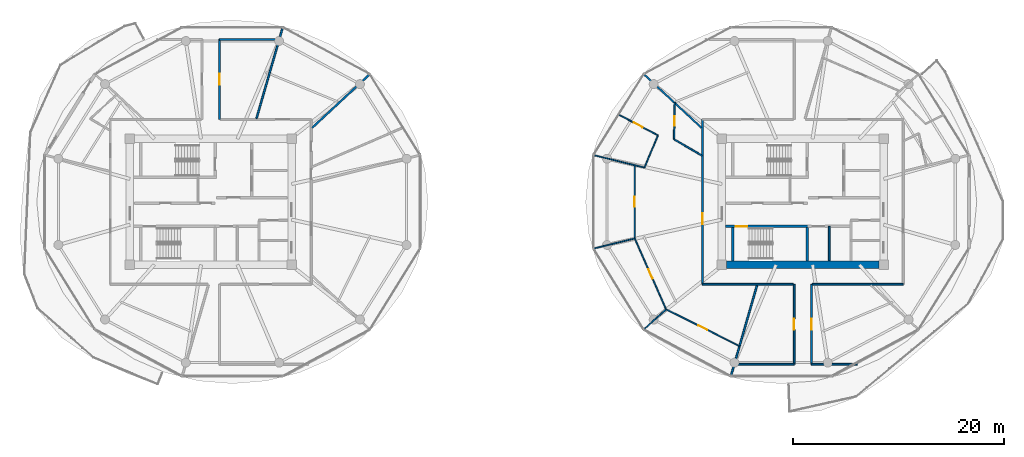
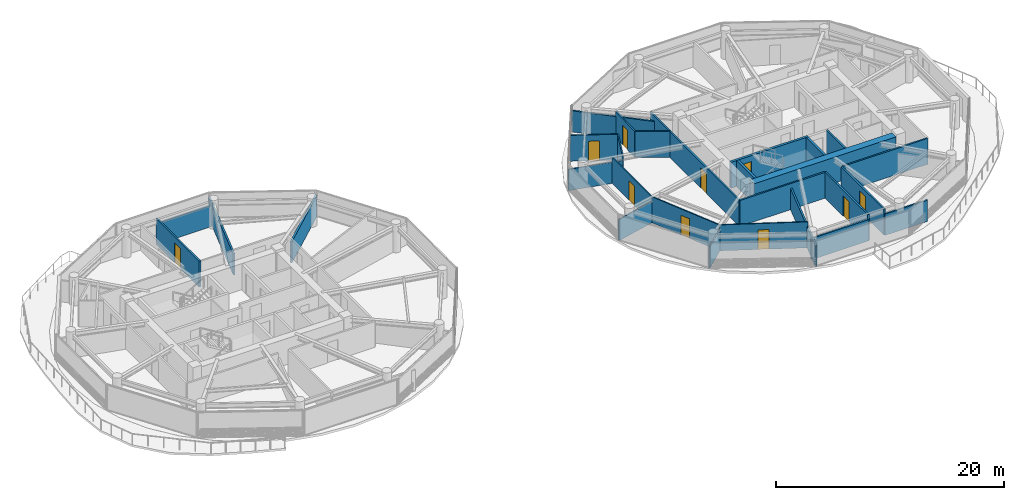
# One storey, part 15 of 22: 28 walls, 10 doors, 10 openings.
"""IFC4 building model written with IfcOpenShell, lengths in metres."""

from ifc_helpers import new_model, si_unit, direction, frame, frame_2d, origin, place, context, subcontext, project, spatial, rectangle, extrude, source, transform, mapped, material, layer, layer_set, type_object, type_shapes, element, fill, save


model = new_model("IFC4")

# Units and contexts
model_context = context("Model", 3, precision=1e-05, world=origin(), true_north=direction((0.0, 1.0)))
body_context = subcontext(model_context, "Body", "Model", "MODEL_VIEW")
ifc_project = project(units=[si_unit("LENGTHUNIT", "METRE"), si_unit("AREAUNIT", "SQUARE_METRE"), si_unit("VOLUMEUNIT", "CUBIC_METRE"), si_unit("PLANEANGLEUNIT", "RADIAN"), si_unit("MASSUNIT", "GRAM", prefix="KILO")], contexts=[model_context])

# Site, building, storey
site_placement = place(None, origin())
site = spatial("IfcSite", under=ifc_project, at=site_placement, CompositionType="ELEMENT")
building_placement = place(site_placement, origin())
building = spatial("IfcBuilding", under=site, at=building_placement, Name="Norrkilde Senior Care Towers", CompositionType="ELEMENT")
storey_placement = place(building_placement, frame((0.0, 0.0, 96.25)))
storey = spatial("IfcBuildingStorey", under=building, at=storey_placement, Name="L29", CompositionType="ELEMENT", Elevation=96.25)

# Walls
ifc_material_1 = material(Name="Concrete C60/75", Category="concrete")
ifc_layer_1 = layer(ifc_material_1, 0.719970703125)
ifc_layer_set_1 = layer_set([ifc_layer_1], Name="Concrete C60/75")
wall_type_1 = type_object("IfcWallType", Name="Core Shear Wall Z2 720", PredefinedType="SHEAR", material=ifc_layer_set_1)
shared_shape_1 = source(origin(), body_context, "Body", "SweptSolid", [
    extrude(rectangle(XDim=14.39990234375, YDim=0.719970703125, at=frame_2d((7.199951171875, 0.0))), origin(), (0.0, 0.0, 1.0), 2.7900390625),
])
type_shapes(wall_type_1, [shared_shape_1])
wall_1_placement = place(storey_placement, frame((35.199951171875, -5.949951171875, 0.0), z_axis=(0.0, 0.0, 1.0), x_axis=(-1.0, 0.0, 0.0)))
element("IfcWall", 1, at=wall_1_placement, inside=storey, type_object=wall_type_1, Name="L29 Core E South Shear Wall", PredefinedType="SHEAR", context=body_context, shape_type="MappedRepresentation", body=[
    mapped(shared_shape_1, transform((0.0, 0.0, 0.0), x_axis=(1.0, 0.0, 0.0), y_axis=(0.0, 1.0, 0.0), z_axis=(0.0, 0.0, 1.0), scale=1.0)),
])
ifc_material_2 = material(Name="Concrete C45/55", Category="concrete")
ifc_layer_2 = layer(ifc_material_2, 0.179931640625)
ifc_layer_set_2 = layer_set([ifc_layer_2], Name="Concrete C45/55")
wall_type_2 = type_object("IfcWallType", Name="Hoistway Division Rated Partition 180", PredefinedType="PARTITIONING", material=ifc_layer_set_2)
shared_shape_2 = source(origin(), body_context, "Body", "SweptSolid", [
    extrude(rectangle(XDim=3.219970703125, YDim=0.179931640625, at=frame_2d((1.60986328125, 0.0))), origin(), (0.0, 0.0, 1.0), 2.77490234375),
])
type_shapes(wall_type_2, [shared_shape_2])
wall_2_placement = place(storey_placement, frame((30.5, -5.550048828125, 0.0), z_axis=(0.0, 0.0, 1.0), x_axis=(0.0, 1.0, 0.0)))
element("IfcWall", 2, at=wall_2_placement, inside=storey, type_object=wall_type_2, Name="WL-INT-L29-E-PL34", PredefinedType="PARTITIONING", context=body_context, shape_type="MappedRepresentation", body=[
    mapped(shared_shape_2, transform((0.0, 0.0, 0.0), x_axis=(1.0, 0.0, 0.0), y_axis=(0.0, 1.0, 0.0), z_axis=(0.0, 0.0, 1.0), scale=1.0)),
])

# Wall, opening, door
ifc_material_3 = material(Name="Gypsum Acoustic Board")
ifc_layer_3 = layer(ifc_material_3, 0.1650390625)
ifc_layer_set_3 = layer_set([ifc_layer_3], Name="Gypsum Acoustic Board")
wall_type_3 = type_object("IfcWallType", Name="Corridor Rated Partition 165", PredefinedType="PARTITIONING", material=ifc_layer_set_3)
shared_shape_3 = source(origin(), body_context, "Body", "SweptSolid", [
    extrude(rectangle(XDim=15.60009765625, YDim=0.1650390625, at=frame_2d((7.800048828125, 0.0))), origin(), (0.0, 0.0, 1.0), 2.77490234375),
])
wall_3_placement = place(storey_placement, frame((18.5, -7.800048828125, 0.0), z_axis=(0.0, 0.0, 1.0), x_axis=(0.0, 1.0, 0.0)))
wall_3 = element("IfcWall", 3, at=wall_3_placement, inside=storey, type_object=wall_type_3, Name="WL-INT-L29-E-CRW-W-0", PredefinedType="PARTITIONING", context=body_context, shape_type="MappedRepresentation", body=[
    mapped(shared_shape_3, transform((0.0, 0.0, 0.0), x_axis=(1.0, 0.0, 0.0), y_axis=(0.0, 1.0, 0.0), z_axis=(0.0, 0.0, 1.0), scale=1.0)),
])
opening_1_placement = place(wall_3_placement, frame((5.672607421875, 0.0, 0.0)))
opening_1 = element("IfcOpeningElement", 4, at=opening_1_placement, cuts=wall_3, Name="Opening D-06", PredefinedType="OPENING", context=body_context, shape_type="SweptSolid", body=[
    extrude(rectangle(XDim=1.050048828125, YDim=2.14990234375, at=frame_2d((0.52490234375, 1.074951171875))), frame((0.0, 0.092529296875, 0.0), z_axis=(0.0, -1.0, 0.0), x_axis=(1.0, 0.0, 0.0)), (0.0, 0.0, 1.0), 0.18505859375),
])
ifc_material_4 = material(Name="Nordic Ash Timber", Category="wood")
door_type_1 = type_object("IfcDoorType", Name="Apartment Entrance Fire Door 1050x2150", OperationType="NOTDEFINED", PredefinedType="DOOR", material=ifc_material_4)
shared_shape_4 = source(origin(), body_context, "Body", "SweptSolid", [
    extrude(rectangle(XDim=1.050048828125, YDim=2.14990234375, at=frame_2d((0.52490234375, 1.074951171875))), frame((0.0, 0.02490234375, 0.0), z_axis=(0.0, -1.0, 0.0), x_axis=(1.0, 0.0, 0.0)), (0.0, 0.0, 1.0), 0.050048828125),
])
type_shapes(door_type_1, [shared_shape_4])
door_1_placement = place(opening_1_placement, frame((1.050048828125, 0.0, 0.0), z_axis=(0.0, 0.0, 1.0), x_axis=(-1.0, 0.0, 0.0)))
door_1 = element("IfcDoor", 5, at=door_1_placement, inside=storey, type_object=door_type_1, Name="Apartment 29A Entrance Door", OperationType="SINGLE_SWING_LEFT", OverallHeight=2.14990234375, OverallWidth=1.050048828125, PredefinedType="DOOR", context=body_context, shape_type="MappedRepresentation", body=[
    mapped(shared_shape_4, transform((0.0, 0.0, 0.0), x_axis=(1.0, 0.0, 0.0), y_axis=(0.0, 1.0, 0.0), z_axis=(0.0, 0.0, 1.0), scale=1.0)),
])
fill(opening_1, door_1)

ifc_layer_4 = layer(ifc_material_2, 0.239990234375)
ifc_layer_set_4 = layer_set([ifc_layer_4], Name="Concrete C45/55")
wall_type_4 = type_object("IfcWallType", Name="Shaft and Stair Enclosure Wall 240", PredefinedType="PARTITIONING", material=ifc_layer_set_4)
shared_shape_5 = source(origin(), body_context, "Body", "SweptSolid", [
    extrude(rectangle(XDim=7.830078125, YDim=0.239990234375, at=frame_2d((3.9150390625, 0.0))), origin(), (0.0, 0.0, 1.0), 2.7900390625),
])
wall_4_placement = place(storey_placement, frame((20.7099609375, -2.330078125, 0.0), z_axis=(0.0, 0.0, 1.0), x_axis=(1.0, 0.0, 0.0)))
wall_4 = element("IfcWall", 6, at=wall_4_placement, inside=storey, type_object=wall_type_4, Name="WL-INT-L29-E-ST2N", PredefinedType="PARTITIONING", context=body_context, shape_type="MappedRepresentation", body=[
    mapped(shared_shape_5, transform((0.0, 0.0, 0.0), x_axis=(1.0, 0.0, 0.0), y_axis=(0.0, 1.0, 0.0), z_axis=(0.0, 0.0, 1.0), scale=1.0)),
])
opening_2_placement = place(wall_4_placement, frame((0.949951171875, 0.0, 0.0)))
opening_2 = element("IfcOpeningElement", 7, at=opening_2_placement, cuts=wall_4, Name="Opening D-03", PredefinedType="OPENING", context=body_context, shape_type="SweptSolid", body=[
    extrude(rectangle(XDim=1.10009765625, YDim=2.14990234375, at=frame_2d((0.550048828125, 1.074951171875))), frame((0.0, 0.1298828125, 0.0), z_axis=(0.0, -1.0, 0.0), x_axis=(1.0, 0.0, 0.0)), (0.0, 0.0, 1.0), 0.260009765625),
])
ifc_material_5 = material(Name="Galvanised Painted Steel", Category="steel")
door_type_2 = type_object("IfcDoorType", Name="Stairwell Protected Fire Door 1100x2150", OperationType="NOTDEFINED", PredefinedType="DOOR", material=ifc_material_5)
shared_shape_6 = source(origin(), body_context, "Body", "SweptSolid", [
    extrude(rectangle(XDim=1.10009765625, YDim=2.14990234375, at=frame_2d((0.550048828125, 1.074951171875))), frame((0.0, 0.02490234375, 0.0), z_axis=(0.0, -1.0, 0.0), x_axis=(1.0, 0.0, 0.0)), (0.0, 0.0, 1.0), 0.050048828125),
])
type_shapes(door_type_2, [shared_shape_6])
door_2_placement = place(opening_2_placement, frame((1.10009765625, 0.0, 0.0), z_axis=(0.0, 0.0, 1.0), x_axis=(-1.0, 0.0, 0.0)))
door_2 = element("IfcDoor", 8, at=door_2_placement, inside=storey, type_object=door_type_2, Name="L29 Stair E2 Fire Door", OperationType="SINGLE_SWING_RIGHT", OverallHeight=2.14990234375, OverallWidth=1.10009765625, PredefinedType="DOOR", context=body_context, shape_type="MappedRepresentation", body=[
    mapped(shared_shape_6, transform((0.0, 0.0, 0.0), x_axis=(1.0, 0.0, 0.0), y_axis=(0.0, 1.0, 0.0), z_axis=(0.0, 0.0, 1.0), scale=1.0)),
])
fill(opening_2, door_2)

# Walls
shared_shape_7 = source(origin(), body_context, "Body", "SweptSolid", [
    extrude(rectangle(XDim=3.14013671875, YDim=0.239990234375, at=frame_2d((1.570068359375, 0.0))), origin(), (0.0, 0.0, 1.0), 2.7900390625),
])
type_shapes(wall_type_4, [shared_shape_5, shared_shape_7])
for number, where, z_axis, x_axis, name in (
    (9, (21.3798828125, -5.590087890625, 0.0), (0.0, 0.0, 1.0), (0.0, 1.0, 0.0), "WL-INT-L29-E-ST2W"),
    (10, (28.419921875, -5.590087890625, 0.0), (0.0, 0.0, 1.0), (0.0, 1.0, 0.0), "WL-INT-L29-E-ST2E"),
):
    element("IfcWall", number, at=place(storey_placement, frame(where, z_axis=z_axis, x_axis=x_axis)), inside=storey, type_object=wall_type_4, Name=name, PredefinedType="PARTITIONING", context=body_context, shape_type="MappedRepresentation", body=[
        mapped(shared_shape_7, transform((0.0, 0.0, 0.0), x_axis=(1.0, 0.0, 0.0), y_axis=(0.0, 1.0, 0.0), z_axis=(0.0, 0.0, 1.0), scale=1.0)),
    ])
shared_shape_8 = source(origin(), body_context, "Body", "SweptSolid", [
    extrude(rectangle(XDim=8.60009765625, YDim=0.1650390625, at=frame_2d((4.300048828125, 0.0))), origin(), (0.0, 0.0, 1.0), 2.77490234375),
])
for number, where, z_axis, x_axis, name in (
    (11, (37.5, -7.800048828125, 0.0), (0.0, 0.0, 1.0), (-1.0, 0.0, 0.0), "WL-INT-L29-E-CRW-S-0"),
    (12, (27.10009765625, -7.800048828125, 0.0), (0.0, 0.0, 1.0), (-1.0, 0.0, 0.0), "WL-INT-L29-E-CRW-S-1"),
):
    element("IfcWall", number, at=place(storey_placement, frame(where, z_axis=z_axis, x_axis=x_axis)), inside=storey, type_object=wall_type_3, Name=name, PredefinedType="PARTITIONING", context=body_context, shape_type="MappedRepresentation", body=[
        mapped(shared_shape_8, transform((0.0, 0.0, 0.0), x_axis=(1.0, 0.0, 0.0), y_axis=(0.0, 1.0, 0.0), z_axis=(0.0, 0.0, 1.0), scale=1.0)),
    ])
shared_shape_9 = source(origin(), body_context, "Body", "SweptSolid", [
    extrude(rectangle(XDim=8.9892578125, YDim=0.1650390625, at=frame_2d((4.49462890625, 0.0))), origin(), (0.0, 0.0, 1.0), 2.27490234375),
])
for number, where, z_axis, x_axis, name in (
    (13, (-23.677978515625, 7.8798828125, 0.0), (0.0, 0.0, 1.0), (0.27702323008, 0.960863221274, 0.0), "WL-INT-L29-W-DEM-02-0"),
    (14, (23.677978515625, -7.8798828125, 0.0), (0.0, 0.0, 1.0), (-0.27702323008, -0.960863221274, 0.0), "WL-INT-L29-E-DEM-08-0"),
):
    element("IfcWall", number, at=place(storey_placement, frame(where, z_axis=z_axis, x_axis=x_axis)), inside=storey, type_object=wall_type_3, Name=name, PredefinedType="PARTITIONING", context=body_context, shape_type="MappedRepresentation", body=[
        mapped(shared_shape_9, transform((0.0, 0.0, 0.0), x_axis=(1.0, 0.0, 0.0), y_axis=(0.0, 1.0, 0.0), z_axis=(0.0, 0.0, 1.0), scale=1.0)),
    ])
shared_shape_10 = source(origin(), body_context, "Body", "SweptSolid", [
    extrude(rectangle(XDim=7.482177734375, YDim=0.1650390625, at=frame_2d((3.7412109375, 0.0))), origin(), (0.0, 0.0, 1.0), 2.27490234375),
])
wall_5_placement = place(storey_placement, frame((18.419921875, 6.998046875, 0.0), z_axis=(0.0, 0.0, 1.0), x_axis=(-0.732508698043, 0.680757671489, 0.0)))
element("IfcWall", 15, at=wall_5_placement, inside=storey, type_object=wall_type_3, Name="WL-INT-L29-E-DEM-04-0", PredefinedType="PARTITIONING", context=body_context, shape_type="MappedRepresentation", body=[
    mapped(shared_shape_10, transform((0.0, 0.0, 0.0), x_axis=(1.0, 0.0, 0.0), y_axis=(0.0, 1.0, 0.0), z_axis=(0.0, 0.0, 1.0), scale=1.0)),
])

# Wall, opening, door
shared_shape_11 = source(origin(), body_context, "Body", "SweptSolid", [
    extrude(rectangle(XDim=7.56005859375, YDim=0.1650390625, at=frame_2d((3.780029296875, 0.0))), origin(), (0.0, 0.0, 1.0), 2.77490234375),
])
wall_6_placement = place(storey_placement, frame((-27.179931640625, 7.800048828125, 0.0), z_axis=(0.0, 0.0, 1.0), x_axis=(0.0, 1.0, 0.0)))
wall_6 = element("IfcWall", 16, at=wall_6_placement, inside=storey, type_object=wall_type_3, Name="WL-INT-L29-W-PKW-NEL", PredefinedType="PARTITIONING", context=body_context, shape_type="MappedRepresentation", body=[
    mapped(shared_shape_11, transform((0.0, 0.0, 0.0), x_axis=(1.0, 0.0, 0.0), y_axis=(0.0, 1.0, 0.0), z_axis=(0.0, 0.0, 1.0), scale=1.0)),
])
opening_3_placement = place(wall_6_placement, frame((3.2548828125, 0.0, 0.0)))
opening_3 = element("IfcOpeningElement", 17, at=opening_3_placement, cuts=wall_6, Name="Opening D-06", PredefinedType="OPENING", context=body_context, shape_type="SweptSolid", body=[
    extrude(rectangle(XDim=1.050048828125, YDim=2.14990234375, at=frame_2d((0.52490234375, 1.074951171875))), frame((0.0, 0.092529296875, 0.0), z_axis=(0.0, -1.0, 0.0), x_axis=(1.0, 0.0, 0.0)), (0.0, 0.0, 1.0), 0.18505859375),
])
door_3_placement = place(opening_3_placement, frame((1.050048828125, 0.0, 0.0), z_axis=(0.0, 0.0, 1.0), x_axis=(-1.0, 0.0, 0.0)))
door_3 = element("IfcDoor", 18, at=door_3_placement, inside=storey, type_object=door_type_1, Name="L29 Reading Lounge NEL Door", OperationType="SINGLE_SWING_RIGHT", OverallHeight=2.14990234375, OverallWidth=1.050048828125, PredefinedType="DOOR", context=body_context, shape_type="MappedRepresentation", body=[
    mapped(shared_shape_4, transform((0.0, 0.0, 0.0), x_axis=(1.0, 0.0, 0.0), y_axis=(0.0, 1.0, 0.0), z_axis=(0.0, 0.0, 1.0), scale=1.0)),
])
fill(opening_3, door_3)

wall_7_placement = place(storey_placement, frame((27.179931640625, -15.360107421875, 0.0), z_axis=(0.0, 0.0, 1.0), x_axis=(0.0, 1.0, 0.0)))
wall_7 = element("IfcWall", 19, at=wall_7_placement, inside=storey, type_object=wall_type_3, Name="WL-INT-L29-E-PKW-SWL", PredefinedType="PARTITIONING", context=body_context, shape_type="MappedRepresentation", body=[
    mapped(shared_shape_11, transform((0.0, 0.0, 0.0), x_axis=(1.0, 0.0, 0.0), y_axis=(0.0, 1.0, 0.0), z_axis=(0.0, 0.0, 1.0), scale=1.0)),
])
opening_4_placement = place(wall_7_placement, frame((3.2548828125, 0.0, 0.0)))
opening_4 = element("IfcOpeningElement", 20, at=opening_4_placement, cuts=wall_7, Name="Opening D-06", PredefinedType="OPENING", context=body_context, shape_type="SweptSolid", body=[
    extrude(rectangle(XDim=1.050048828125, YDim=2.14990234375, at=frame_2d((0.52490234375, 1.074951171875))), frame((0.0, 0.092529296875, 0.0), z_axis=(0.0, -1.0, 0.0), x_axis=(1.0, 0.0, 0.0)), (0.0, 0.0, 1.0), 0.18505859375),
])
door_4_placement = place(opening_4_placement, frame((1.050048828125, 0.0, 0.0), z_axis=(0.0, 0.0, 1.0), x_axis=(-1.0, 0.0, 0.0)))
door_4 = element("IfcDoor", 21, at=door_4_placement, inside=storey, type_object=door_type_1, Name="L29 Reading Lounge SWL Door", OperationType="SINGLE_SWING_RIGHT", OverallHeight=2.14990234375, OverallWidth=1.050048828125, PredefinedType="DOOR", context=body_context, shape_type="MappedRepresentation", body=[
    mapped(shared_shape_4, transform((0.0, 0.0, 0.0), x_axis=(1.0, 0.0, 0.0), y_axis=(0.0, 1.0, 0.0), z_axis=(0.0, 0.0, 1.0), scale=1.0)),
])
fill(opening_4, door_4)

wall_8_placement = place(storey_placement, frame((28.820068359375, -15.360107421875, 0.0), z_axis=(0.0, 0.0, 1.0), x_axis=(0.0, 1.0, 0.0)))
wall_8 = element("IfcWall", 22, at=wall_8_placement, inside=storey, type_object=wall_type_3, Name="WL-INT-L29-E-PKW-SEL", PredefinedType="PARTITIONING", context=body_context, shape_type="MappedRepresentation", body=[
    mapped(shared_shape_11, transform((0.0, 0.0, 0.0), x_axis=(1.0, 0.0, 0.0), y_axis=(0.0, 1.0, 0.0), z_axis=(0.0, 0.0, 1.0), scale=1.0)),
])
opening_5_placement = place(wall_8_placement, frame((3.2548828125, 0.0, 0.0)))
opening_5 = element("IfcOpeningElement", 23, at=opening_5_placement, cuts=wall_8, Name="Opening D-06", PredefinedType="OPENING", context=body_context, shape_type="SweptSolid", body=[
    extrude(rectangle(XDim=1.050048828125, YDim=2.14990234375, at=frame_2d((0.52490234375, 1.074951171875))), frame((0.0, 0.092529296875, 0.0), z_axis=(0.0, -1.0, 0.0), x_axis=(1.0, 0.0, 0.0)), (0.0, 0.0, 1.0), 0.18505859375),
])
door_5_placement = place(opening_5_placement, frame((1.050048828125, 0.0, 0.0), z_axis=(0.0, 0.0, 1.0), x_axis=(-1.0, 0.0, 0.0)))
door_5 = element("IfcDoor", 24, at=door_5_placement, inside=storey, type_object=door_type_1, Name="L29 Reading Lounge SEL Door", OperationType="SINGLE_SWING_RIGHT", OverallHeight=2.14990234375, OverallWidth=1.050048828125, PredefinedType="DOOR", context=body_context, shape_type="MappedRepresentation", body=[
    mapped(shared_shape_4, transform((0.0, 0.0, 0.0), x_axis=(1.0, 0.0, 0.0), y_axis=(0.0, 1.0, 0.0), z_axis=(0.0, 0.0, 1.0), scale=1.0)),
])
fill(opening_5, door_5)

# Walls
shared_shape_12 = source(origin(), body_context, "Body", "SweptSolid", [
    extrude(rectangle(XDim=4.306884765625, YDim=0.1650390625, at=frame_2d((2.1533203125, 0.0))), origin(), (0.0, 0.0, 1.0), 2.27490234375),
])
wall_9_placement = place(storey_placement, frame((28.820068359375, -15.360107421875, 0.0), z_axis=(0.0, 0.0, 1.0), x_axis=(1.0, 0.0, 0.0)))
element("IfcWall", 25, at=wall_9_placement, inside=storey, type_object=wall_type_3, Name="WL-INT-L29-E-PKH-SEL-0", PredefinedType="PARTITIONING", context=body_context, shape_type="MappedRepresentation", body=[
    mapped(shared_shape_12, transform((0.0, 0.0, 0.0), x_axis=(1.0, 0.0, 0.0), y_axis=(0.0, 1.0, 0.0), z_axis=(0.0, 0.0, 1.0), scale=1.0)),
])
shared_shape_13 = source(origin(), body_context, "Body", "SweptSolid", [
    extrude(rectangle(XDim=5.81396484375, YDim=0.1650390625, at=frame_2d((2.906982421875, 0.0))), origin(), (0.0, 0.0, 1.0), 2.27490234375),
])
type_shapes(wall_type_3, [shared_shape_3, shared_shape_8, shared_shape_9, shared_shape_10, shared_shape_11, shared_shape_12, shared_shape_13])
for number, where, z_axis, x_axis, name in (
    (26, (-27.179931640625, 15.360107421875, 0.0), (0.0, 0.0, 1.0), (1.0, 0.0, 0.0), "WL-INT-L29-W-PKH-NEL-0"),
    (27, (21.365966796875, -15.360107421875, 0.0), (0.0, 0.0, 1.0), (1.0, 0.0, 0.0), "WL-INT-L29-E-PKH-SWL-0"),
):
    element("IfcWall", number, at=place(storey_placement, frame(where, z_axis=z_axis, x_axis=x_axis)), inside=storey, type_object=wall_type_3, Name=name, PredefinedType="PARTITIONING", context=body_context, shape_type="MappedRepresentation", body=[
        mapped(shared_shape_13, transform((0.0, 0.0, 0.0), x_axis=(1.0, 0.0, 0.0), y_axis=(0.0, 1.0, 0.0), z_axis=(0.0, 0.0, 1.0), scale=1.0)),
    ])
ifc_layer_5 = layer(ifc_material_3, 0.18994140625)
ifc_layer_set_5 = layer_set([ifc_layer_5], Name="Gypsum Acoustic Board")
wall_type_5 = type_object("IfcWallType", Name="Unit Demising Acoustic Wall 190", PredefinedType="PARTITIONING", material=ifc_layer_set_5)
shared_shape_14 = source(origin(), body_context, "Body", "SweptSolid", [
    extrude(rectangle(XDim=7.482177734375, YDim=0.18994140625, at=frame_2d((3.7412109375, 0.0))), origin(), (0.0, 0.0, 1.0), 2.27490234375),
])
type_shapes(wall_type_5, [shared_shape_14])
wall_10_placement = place(storey_placement, frame((-18.419921875, 6.998046875, 0.0), z_axis=(0.0, 0.0, 1.0), x_axis=(0.732508698043, 0.680757671489, 0.0)))
element("IfcWall", 28, at=wall_10_placement, inside=storey, type_object=wall_type_5, Name="WL-INT-L29-W-DEM-01-0", PredefinedType="PARTITIONING", context=body_context, shape_type="MappedRepresentation", body=[
    mapped(shared_shape_14, transform((0.0, 0.0, 0.0), x_axis=(1.0, 0.0, 0.0), y_axis=(0.0, 1.0, 0.0), z_axis=(0.0, 0.0, 1.0), scale=1.0)),
])

# Wall, opening, door
ifc_layer_6 = layer(ifc_material_3, 0.114990234375)
ifc_layer_set_6 = layer_set([ifc_layer_6], Name="Gypsum Acoustic Board")
wall_type_6 = type_object("IfcWallType", Name="Internal Room Partition 115", PredefinedType="PARTITIONING", material=ifc_layer_set_6)
shared_shape_15 = source(origin(), body_context, "Body", "SweptSolid", [
    extrude(rectangle(XDim=7.76708984375, YDim=0.114990234375, at=frame_2d((3.883544921875, 0.0))), origin(), (0.0, 0.0, 1.0), 2.77490234375),
])
wall_11_placement = place(storey_placement, frame((15.069580078125, -10.16748046875, 0.0), z_axis=(0.0, 0.0, 1.0), x_axis=(0.894188177352, -0.447691303783, 0.0)))
wall_11 = element("IfcWall", 29, at=wall_11_placement, inside=storey, type_object=wall_type_6, Name="WL-INT-L29-E-UBC-04-3", PredefinedType="PARTITIONING", context=body_context, shape_type="MappedRepresentation", body=[
    mapped(shared_shape_15, transform((0.0, 0.0, 0.0), x_axis=(1.0, 0.0, 0.0), y_axis=(0.0, 1.0, 0.0), z_axis=(0.0, 0.0, 1.0), scale=1.0)),
])
opening_6_placement = place(wall_11_placement, frame((3.40869140625, 0.0, 0.0)))
opening_6 = element("IfcOpeningElement", 30, at=opening_6_placement, cuts=wall_11, Name="Opening D-07", PredefinedType="OPENING", context=body_context, shape_type="SweptSolid", body=[
    extrude(rectangle(XDim=0.949951171875, YDim=2.10009765625, at=frame_2d((0.47509765625, 1.050048828125))), frame((0.0, 0.0673828125, 0.0), z_axis=(0.0, -1.0, 0.0), x_axis=(1.0, 0.0, 0.0)), (0.0, 0.0, 1.0), 0.135009765625),
])
door_type_3 = type_object("IfcDoorType", Name="Internal Suite Bedroom Door 950x2100", OperationType="NOTDEFINED", PredefinedType="DOOR", material=ifc_material_4)
shared_shape_16 = source(origin(), body_context, "Body", "SweptSolid", [
    extrude(rectangle(XDim=0.949951171875, YDim=2.10009765625, at=frame_2d((0.47509765625, 1.050048828125))), frame((0.0, 0.02490234375, 0.0), z_axis=(0.0, -1.0, 0.0), x_axis=(1.0, 0.0, 0.0)), (0.0, 0.0, 1.0), 0.050048828125),
])
type_shapes(door_type_3, [shared_shape_16])
door_6_placement = place(opening_6_placement, origin())
door_6 = element("IfcDoor", 31, at=door_6_placement, inside=storey, type_object=door_type_3, Name="Apartment 29A Bedroom 3 Door", OperationType="SINGLE_SWING_RIGHT", OverallHeight=2.10009765625, OverallWidth=0.949951171875, PredefinedType="DOOR", context=body_context, shape_type="MappedRepresentation", body=[
    mapped(shared_shape_16, transform((0.0, 0.0, 0.0), x_axis=(1.0, 0.0, 0.0), y_axis=(0.0, 1.0, 0.0), z_axis=(0.0, 0.0, 1.0), scale=1.0)),
])
fill(opening_6, door_6)

shared_shape_17 = source(origin(), body_context, "Body", "SweptSolid", [
    extrude(rectangle(XDim=6.93505859375, YDim=0.114990234375, at=frame_2d((3.467529296875, 0.0))), origin(), (0.0, 0.0, 1.0), 2.77490234375),
])
wall_12_placement = place(storey_placement, frame((12.10107421875, 3.467529296875, 0.0), z_axis=(0.0, 0.0, 1.0), x_axis=(0.0, -1.0, 0.0)))
wall_12 = element("IfcWall", 32, at=wall_12_placement, inside=storey, type_object=wall_type_6, Name="WL-INT-L29-E-UBC-04-1", PredefinedType="PARTITIONING", context=body_context, shape_type="MappedRepresentation", body=[
    mapped(shared_shape_17, transform((0.0, 0.0, 0.0), x_axis=(1.0, 0.0, 0.0), y_axis=(0.0, 1.0, 0.0), z_axis=(0.0, 0.0, 1.0), scale=1.0)),
])
opening_7_placement = place(wall_12_placement, frame((2.99267578125, 0.0, 0.0)))
opening_7 = element("IfcOpeningElement", 33, at=opening_7_placement, cuts=wall_12, Name="Opening D-07", PredefinedType="OPENING", context=body_context, shape_type="SweptSolid", body=[
    extrude(rectangle(XDim=0.949951171875, YDim=2.10009765625, at=frame_2d((0.47509765625, 1.050048828125))), frame((0.0, 0.0673828125, 0.0), z_axis=(0.0, -1.0, 0.0), x_axis=(1.0, 0.0, 0.0)), (0.0, 0.0, 1.0), 0.135009765625),
])
door_7_placement = place(opening_7_placement, origin())
door_7 = element("IfcDoor", 34, at=door_7_placement, inside=storey, type_object=door_type_3, Name="Apartment 29A Bedroom 1 Door", OperationType="SINGLE_SWING_RIGHT", OverallHeight=2.10009765625, OverallWidth=0.949951171875, PredefinedType="DOOR", context=body_context, shape_type="MappedRepresentation", body=[
    mapped(shared_shape_16, transform((0.0, 0.0, 0.0), x_axis=(1.0, 0.0, 0.0), y_axis=(0.0, 1.0, 0.0), z_axis=(0.0, 0.0, 1.0), scale=1.0)),
])
fill(opening_7, door_7)

# Wall
shared_shape_18 = source(origin(), body_context, "Body", "SweptSolid", [
    extrude(rectangle(XDim=4.992431640625, YDim=0.114990234375, at=frame_2d((2.49609375, 0.0))), origin(), (0.0, 0.0, 1.0), 2.27490234375),
])
wall_13_placement = place(storey_placement, frame((13.025634765625, 3.236083984375, 0.0), z_axis=(0.0, 0.0, 1.0), x_axis=(-0.971191841847, 0.238298985162, 0.0)))
element("IfcWall", 35, at=wall_13_placement, inside=storey, type_object=wall_type_6, Name="WL-INT-L29-E-UBR-04-1", PredefinedType="PARTITIONING", context=body_context, shape_type="MappedRepresentation", body=[
    mapped(shared_shape_18, transform((0.0, 0.0, 0.0), x_axis=(1.0, 0.0, 0.0), y_axis=(0.0, 1.0, 0.0), z_axis=(0.0, 0.0, 1.0), scale=1.0)),
])

# Wall, opening, door
shared_shape_19 = source(origin(), body_context, "Body", "SweptSolid", [
    extrude(rectangle(XDim=7.326171875, YDim=0.114990234375, at=frame_2d((3.6630859375, 0.0))), origin(), (0.0, 0.0, 1.0), 2.77490234375),
])
wall_14_placement = place(storey_placement, frame((12.103515625, -3.467041015625, 0.0), z_axis=(0.0, 0.0, 1.0), x_axis=(0.405263245425, -0.914200033859, 0.0)))
wall_14 = element("IfcWall", 36, at=wall_14_placement, inside=storey, type_object=wall_type_6, Name="WL-INT-L29-E-UBC-04-2", PredefinedType="PARTITIONING", context=body_context, shape_type="MappedRepresentation", body=[
    mapped(shared_shape_19, transform((0.0, 0.0, 0.0), x_axis=(1.0, 0.0, 0.0), y_axis=(0.0, 1.0, 0.0), z_axis=(0.0, 0.0, 1.0), scale=1.0)),
])
opening_8_placement = place(wall_14_placement, frame((3.18798828125, 0.0, 0.0)))
opening_8 = element("IfcOpeningElement", 37, at=opening_8_placement, cuts=wall_14, Name="Opening D-07", PredefinedType="OPENING", context=body_context, shape_type="SweptSolid", body=[
    extrude(rectangle(XDim=0.949951171875, YDim=2.10009765625, at=frame_2d((0.47509765625, 1.050048828125))), frame((0.0, 0.0673828125, 0.0), z_axis=(0.0, -1.0, 0.0), x_axis=(1.0, 0.0, 0.0)), (0.0, 0.0, 1.0), 0.135009765625),
])
door_8_placement = place(opening_8_placement, frame((0.949951171875, 0.0, 0.0), z_axis=(0.0, 0.0, 1.0), x_axis=(-1.0, 0.0, 0.0)))
door_8 = element("IfcDoor", 38, at=door_8_placement, inside=storey, type_object=door_type_3, Name="Apartment 29A Bedroom 2 Door", OperationType="SINGLE_SWING_LEFT", OverallHeight=2.10009765625, OverallWidth=0.949951171875, PredefinedType="DOOR", context=body_context, shape_type="MappedRepresentation", body=[
    mapped(shared_shape_16, transform((0.0, 0.0, 0.0), x_axis=(1.0, 0.0, 0.0), y_axis=(0.0, 1.0, 0.0), z_axis=(0.0, 0.0, 1.0), scale=1.0)),
])
fill(opening_8, door_8)

# Walls
shared_shape_20 = source(origin(), body_context, "Body", "SweptSolid", [
    extrude(rectangle(XDim=4.041748046875, YDim=0.114990234375, at=frame_2d((2.02099609375, 0.0))), origin(), (0.0, 0.0, 1.0), 2.27490234375),
])
wall_15_placement = place(storey_placement, frame((12.103515625, -3.467041015625, 0.0), z_axis=(0.0, 0.0, 1.0), x_axis=(-0.971460277747, -0.237202295014, 0.0)))
element("IfcWall", 39, at=wall_15_placement, inside=storey, type_object=wall_type_6, Name="WL-INT-L29-E-UBR-04-2", PredefinedType="PARTITIONING", context=body_context, shape_type="MappedRepresentation", body=[
    mapped(shared_shape_20, transform((0.0, 0.0, 0.0), x_axis=(1.0, 0.0, 0.0), y_axis=(0.0, 1.0, 0.0), z_axis=(0.0, 0.0, 1.0), scale=1.0)),
])
shared_shape_21 = source(origin(), body_context, "Body", "SweptSolid", [
    extrude(rectangle(XDim=2.87060546875, YDim=0.114990234375, at=frame_2d((1.435302734375, 0.0))), origin(), (0.0, 0.0, 1.0), 2.27490234375),
])
wall_16_placement = place(storey_placement, frame((15.069580078125, -10.16748046875, 0.0), z_axis=(0.0, 0.0, 1.0), x_axis=(-0.742125841552, -0.670260572688, 0.0)))
element("IfcWall", 40, at=wall_16_placement, inside=storey, type_object=wall_type_6, Name="WL-INT-L29-E-UBR-04-3", PredefinedType="PARTITIONING", context=body_context, shape_type="MappedRepresentation", body=[
    mapped(shared_shape_21, transform((0.0, 0.0, 0.0), x_axis=(1.0, 0.0, 0.0), y_axis=(0.0, 1.0, 0.0), z_axis=(0.0, 0.0, 1.0), scale=1.0)),
])
ifc_layer_7 = layer(ifc_material_3, 0.139892578125)
ifc_layer_set_7 = layer_set([ifc_layer_7], Name="Gypsum Acoustic Board")
wall_type_7 = type_object("IfcWallType", Name="En-suite Wet Room Wall 140", PredefinedType="PARTITIONING", material=ifc_layer_set_7)
shared_shape_22 = source(origin(), body_context, "Body", "SweptSolid", [
    extrude(rectangle(XDim=3.0693359375, YDim=0.139892578125, at=frame_2d((1.53466796875, 0.0))), origin(), (0.0, 0.0, 1.0), 2.77490234375),
])
wall_17_placement = place(storey_placement, frame((18.469970703125, 4.36767578125, 0.0), z_axis=(0.0, 0.0, 1.0), x_axis=(-0.863524911282, 0.504306184371, 0.0)))
element("IfcWall", 41, at=wall_17_placement, inside=storey, type_object=wall_type_7, Name="WL-INT-L29-E-UBTS-04", PredefinedType="PARTITIONING", context=body_context, shape_type="MappedRepresentation", body=[
    mapped(shared_shape_22, transform((0.0, 0.0, 0.0), x_axis=(1.0, 0.0, 0.0), y_axis=(0.0, 1.0, 0.0), z_axis=(0.0, 0.0, 1.0), scale=1.0)),
])

# Wall, opening, door
shared_shape_23 = source(origin(), body_context, "Body", "SweptSolid", [
    extrude(rectangle(XDim=3.486572265625, YDim=0.139892578125, at=frame_2d((1.7431640625, 0.0))), origin(), (0.0, 0.0, 1.0), 2.77490234375),
])
type_shapes(wall_type_7, [shared_shape_22, shared_shape_23])
wall_18_placement = place(storey_placement, frame((15.819580078125, 5.91552734375, 0.0), z_axis=(0.0, 0.0, 1.0), x_axis=(0.020026799331, 0.999799443543, 0.0)))
wall_18 = element("IfcWall", 42, at=wall_18_placement, inside=storey, type_object=wall_type_7, Name="WL-INT-L29-E-UBTF-04", PredefinedType="PARTITIONING", context=body_context, shape_type="MappedRepresentation", body=[
    mapped(shared_shape_23, transform((0.0, 0.0, 0.0), x_axis=(1.0, 0.0, 0.0), y_axis=(0.0, 1.0, 0.0), z_axis=(0.0, 0.0, 1.0), scale=1.0)),
])
opening_9_placement = place(wall_18_placement, frame((1.283447265625, 0.0, 0.0)))
opening_9 = element("IfcOpeningElement", 43, at=opening_9_placement, cuts=wall_18, Name="Opening D-08", PredefinedType="OPENING", context=body_context, shape_type="SweptSolid", body=[
    extrude(rectangle(XDim=0.919921875, YDim=2.10009765625, at=frame_2d((0.4599609375, 1.050048828125))), frame((0.0, 0.079833984375, 0.0), z_axis=(0.0, -1.0, 0.0), x_axis=(1.0, 0.0, 0.0)), (0.0, 0.0, 1.0), 0.159912109375),
])
door_type_4 = type_object("IfcDoorType", Name="Accessible Wet Room Door 920x2100", OperationType="NOTDEFINED", PredefinedType="DOOR", material=ifc_material_4)
shared_shape_24 = source(origin(), body_context, "Body", "SweptSolid", [
    extrude(rectangle(XDim=0.919921875, YDim=2.10009765625, at=frame_2d((0.4599609375, 1.050048828125))), frame((0.0, 0.02490234375, 0.0), z_axis=(0.0, -1.0, 0.0), x_axis=(1.0, 0.0, 0.0)), (0.0, 0.0, 1.0), 0.050048828125),
])
type_shapes(door_type_4, [shared_shape_24])
door_9_placement = place(opening_9_placement, origin())
door_9 = element("IfcDoor", 44, at=door_9_placement, inside=storey, type_object=door_type_4, Name="Apartment 29A Bathroom Door", OperationType="SINGLE_SWING_RIGHT", OverallHeight=2.10009765625, OverallWidth=0.919921875, PredefinedType="DOOR", context=body_context, shape_type="MappedRepresentation", body=[
    mapped(shared_shape_24, transform((0.0, 0.0, 0.0), x_axis=(1.0, 0.0, 0.0), y_axis=(0.0, 1.0, 0.0), z_axis=(0.0, 0.0, 1.0), scale=1.0)),
])
fill(opening_9, door_9)

shared_shape_25 = source(origin(), body_context, "Body", "SweptSolid", [
    extrude(rectangle(XDim=4.220703125, YDim=0.114990234375, at=frame_2d((2.1103515625, 0.0))), origin(), (0.0, 0.0, 1.0), 2.77490234375),
])
wall_19_placement = place(storey_placement, frame((14.291748046875, 6.2900390625, 0.0), z_axis=(0.0, 0.0, 1.0), x_axis=(-0.88458298465, 0.466382829087, 0.0)))
wall_19 = element("IfcWall", 45, at=wall_19_placement, inside=storey, type_object=wall_type_6, Name="WL-INT-L29-E-UKTS-04", PredefinedType="PARTITIONING", context=body_context, shape_type="MappedRepresentation", body=[
    mapped(shared_shape_25, transform((0.0, 0.0, 0.0), x_axis=(1.0, 0.0, 0.0), y_axis=(0.0, 1.0, 0.0), z_axis=(0.0, 0.0, 1.0), scale=1.0)),
])
opening_10_placement = place(wall_19_placement, frame((1.635498046875, 0.0, 0.0)))
opening_10 = element("IfcOpeningElement", 46, at=opening_10_placement, cuts=wall_19, Name="Opening D-07", PredefinedType="OPENING", context=body_context, shape_type="SweptSolid", body=[
    extrude(rectangle(XDim=0.949951171875, YDim=2.10009765625, at=frame_2d((0.47509765625, 1.050048828125))), frame((0.0, 0.0673828125, 0.0), z_axis=(0.0, -1.0, 0.0), x_axis=(1.0, 0.0, 0.0)), (0.0, 0.0, 1.0), 0.135009765625),
])
door_10_placement = place(opening_10_placement, frame((0.949951171875, 0.0, 0.0), z_axis=(0.0, 0.0, 1.0), x_axis=(-1.0, 0.0, 0.0)))
door_10 = element("IfcDoor", 47, at=door_10_placement, inside=storey, type_object=door_type_3, Name="Apartment 29A Kitchen Door", OperationType="SINGLE_SWING_LEFT", OverallHeight=2.10009765625, OverallWidth=0.949951171875, PredefinedType="DOOR", context=body_context, shape_type="MappedRepresentation", body=[
    mapped(shared_shape_16, transform((0.0, 0.0, 0.0), x_axis=(1.0, 0.0, 0.0), y_axis=(0.0, 1.0, 0.0), z_axis=(0.0, 0.0, 1.0), scale=1.0)),
])
fill(opening_10, door_10)

# Wall
shared_shape_26 = source(origin(), body_context, "Body", "SweptSolid", [
    extrude(rectangle(XDim=3.3056640625, YDim=0.114990234375, at=frame_2d((1.65283203125, 0.0))), origin(), (0.0, 0.0, 1.0), 2.77490234375),
])
type_shapes(wall_type_6, [shared_shape_15, shared_shape_17, shared_shape_18, shared_shape_19, shared_shape_20, shared_shape_21, shared_shape_25, shared_shape_26])
wall_20_placement = place(storey_placement, frame((14.291748046875, 6.2900390625, 0.0), z_axis=(0.0, 0.0, 1.0), x_axis=(-0.382506175075, -0.923952934965, 0.0)))
element("IfcWall", 48, at=wall_20_placement, inside=storey, type_object=wall_type_6, Name="WL-INT-L29-E-UKTF-04", PredefinedType="PARTITIONING", context=body_context, shape_type="MappedRepresentation", body=[
    mapped(shared_shape_26, transform((0.0, 0.0, 0.0), x_axis=(1.0, 0.0, 0.0), y_axis=(0.0, 1.0, 0.0), z_axis=(0.0, 0.0, 1.0), scale=1.0)),
])

save(model, "model.ifc")
